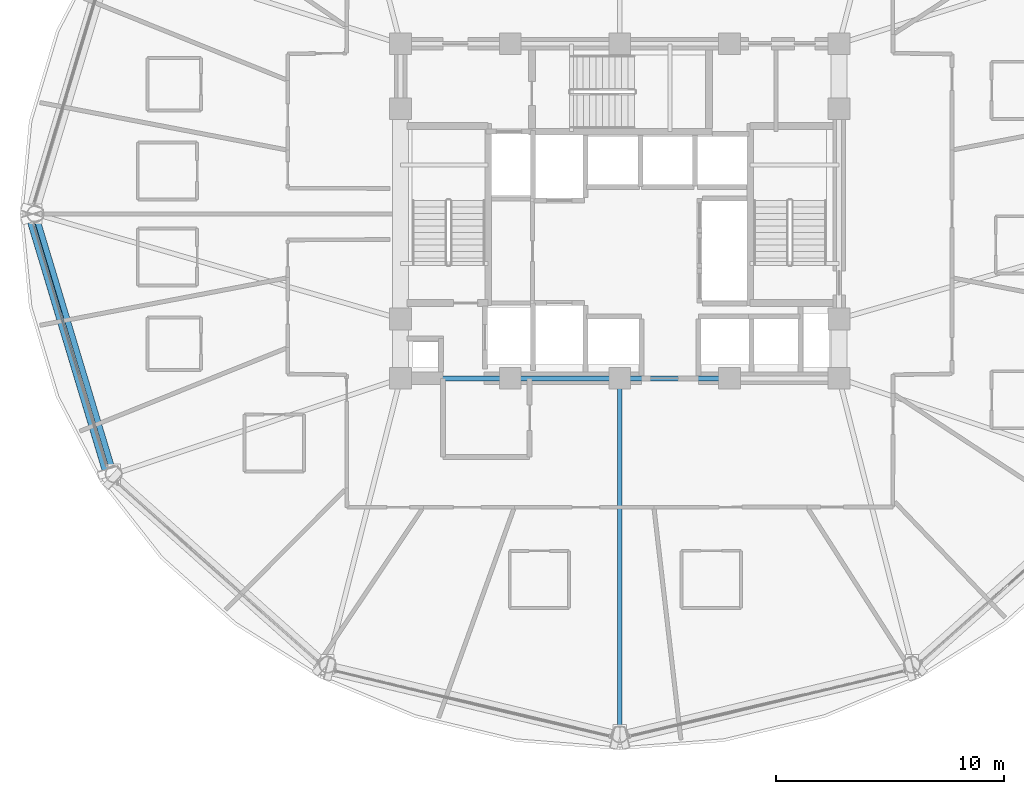
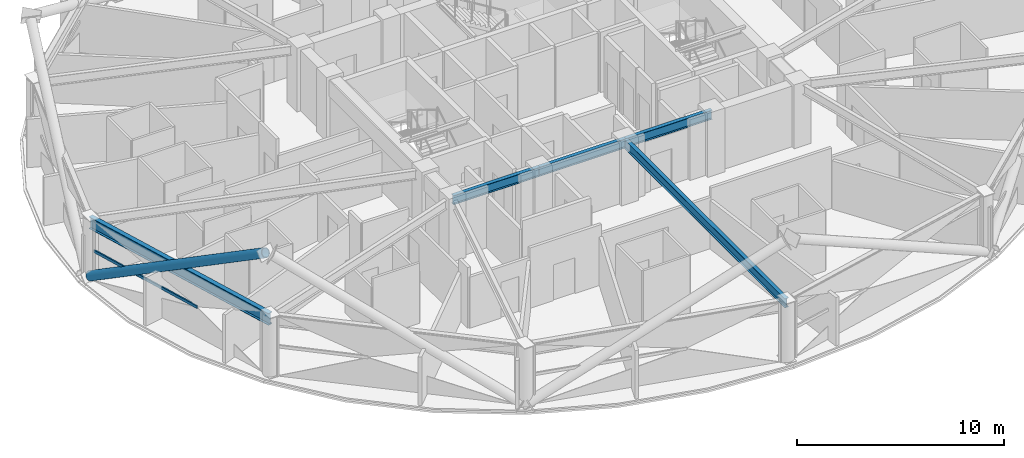
# One storey, part 5 of 32: 5 beams, 2 members, 1 element without a shape of its own.
"""IFC4 building model written with IfcOpenShell, lengths in metres."""

from ifc_helpers import new_model, si_unit, direction, frame, origin, origin_2d, place, context, subcontext, project, spatial, hollow_rectangle, hollow_circle, i_section, extrude, material, layer, layer_set, material_profile, profile_set, type_object, element, aggregate, save


model = new_model("IFC4")

# Units and contexts
model_context = context("Model", 3, precision=1e-05, world=origin(), true_north=direction((0.0, 1.0)))
body_context = subcontext(model_context, "Body", "Model", "MODEL_VIEW")
ifc_project = project(units=[si_unit("LENGTHUNIT", "METRE"), si_unit("AREAUNIT", "SQUARE_METRE"), si_unit("VOLUMEUNIT", "CUBIC_METRE"), si_unit("PLANEANGLEUNIT", "RADIAN"), si_unit("MASSUNIT", "GRAM", prefix="KILO")], contexts=[model_context])

# Site, building, storey
site_placement = place(None, origin())
site = spatial("IfcSite", under=ifc_project, at=site_placement, CompositionType="ELEMENT")
building_placement = place(site_placement, origin())
building = spatial("IfcBuilding", under=site, at=building_placement, Name="Vantalir Tower", CompositionType="ELEMENT")
storey_placement = place(building_placement, frame((0.0, 0.0, 104.699951171875)))
storey = spatial("IfcBuildingStorey", under=building, at=storey_placement, Name="L25", CompositionType="ELEMENT", Elevation=104.699951171875)

# Beams
ifc_material_1 = material(Name="Steel S355", Category="steel")
ifc_material_profile_1 = material_profile(ifc_material_1, i_section(OverallWidth=0.2109375, OverallDepth=0.5390625, WebThickness=0.01171875, FlangeThickness=0.018798828125, at=origin_2d()), Name="Steel S355")
ifc_profile_set_1 = profile_set([ifc_material_profile_1], Name="Steel S355")
beam_type_1 = type_object("IfcBeamType", Name="BM-RB-533x210", PredefinedType="BEAM", material=ifc_profile_set_1)
for number, where, z_axis, x_axis, name in (
    (1, (21.89990234375, 17.800048828125, 3.300048828125), (1.0, 0.0, 0.0), (0.0, 1.0, 0.0), "L25 Core Coupling Girder 01"),
    (2, (26.699951171875, 17.800048828125, 3.300048828125), (1.0, 0.0, 0.0), (0.0, 1.0, 0.0), "L25 Core Coupling Girder 02"),
    (3, (31.5, 17.800048828125, 3.300048828125), (1.0, 0.0, 0.0), (0.0, 1.0, 0.0), "L25 Core Coupling Girder 03"),
):
    element("IfcBeam", number, at=place(storey_placement, frame(where, z_axis=z_axis, x_axis=x_axis)), inside=storey, type_object=beam_type_1, Name=name, PredefinedType="BEAM", context=body_context, shape_type="SweptSolid", body=[
        extrude(i_section(OverallWidth=0.2109375, OverallDepth=0.5390625, WebThickness=0.01171875, FlangeThickness=0.018798828125, at=origin_2d()), origin(), (0.0, 0.0, 1.0), 4.800048828125),
    ])
beam_1_placement = place(storey_placement, frame((31.5, 2.2119140625, 3.300048828125), z_axis=(0.0, 1.0, 0.0), x_axis=(-1.0, 0.0, 0.0)))
element("IfcBeam", 4, at=beam_1_placement, inside=storey, type_object=beam_type_1, Name="L25 Radial Floor Beam 10", PredefinedType="BEAM", context=body_context, shape_type="SweptSolid", body=[
    extrude(i_section(OverallWidth=0.2109375, OverallDepth=0.5390625, WebThickness=0.01171875, FlangeThickness=0.018798828125, at=origin_2d()), origin(), (0.0, 0.0, 1.0), 15.588134765625),
])
ifc_material_2 = material(Name="Steel S460", Category="steel")
ifc_material_profile_2 = material_profile(ifc_material_2, i_section(OverallWidth=0.256103515625, OverallDepth=0.693115234375, WebThickness=0.014404296875, FlangeThickness=0.023681640625, at=origin_2d()), Name="Steel S460")
ifc_profile_set_2 = profile_set([ifc_material_profile_2], Name="Steel S460")
beam_type_2 = type_object("IfcBeamType", Name="BM-RG-686x254", PredefinedType="USERDEFINED", material=ifc_profile_set_2)
beam_2_placement = place(storey_placement, frame((5.912109375, 25.0, 3.22314453125), z_axis=(0.288100770592, -0.95760009711, 0.0), x_axis=(0.95760009711, 0.288100770592, 0.0)))
element("IfcBeam", 5, at=beam_2_placement, inside=storey, type_object=beam_type_2, Name="L25 Circumferential Ring Girder 07", ObjectType="GIRDER", PredefinedType="USERDEFINED", context=body_context, shape_type="SweptSolid", body=[
    extrude(i_section(OverallWidth=0.256103515625, OverallDepth=0.693115234375, WebThickness=0.014404296875, FlangeThickness=0.023681640625, at=origin_2d()), origin(), (0.0, 0.0, 1.0), 11.8984375),
])

# Curtain wall, member
ifc_material_3 = material(Name="Champagne-silver PVDF aluminium and double-silver Low-E glass", Category="aluminium")
ifc_layer = layer(ifc_material_3, 0.199951171875)
ifc_layer_set = layer_set([ifc_layer], Name="Champagne-silver PVDF aluminium and double-silver Low-E glass")
curtain_wall_type = type_object("IfcCurtainWallType", Name="CW-DIAMOND-Z2", PredefinedType="USERDEFINED", material=ifc_layer_set)
curtain_wall_placement = place(storey_placement, origin())
curtain_wall = element("IfcCurtainWall", 6, at=curtain_wall_placement, inside=storey, type_object=curtain_wall_type, Name="L25 Quilted Pyramid-Diamond Curtain Wall S07", ObjectType="UNITISED CURTAIN WALL", PredefinedType="USERDEFINED")
ifc_material_4 = material(Name="Champagne-silver PVDF aluminium 6063-T6", Category="aluminium")
ifc_material_profile_3 = material_profile(ifc_material_4, hollow_rectangle(XDim=0.074951171875, YDim=0.159912109375, WallThickness=0.00390625, at=origin_2d()), Name="Champagne-silver PVDF aluminium 6063-T6")
ifc_profile_set_3 = profile_set([ifc_material_profile_3], Name="Champagne-silver PVDF aluminium 6063-T6")
member_type_1 = type_object("IfcMemberType", Name="CWT-160x75", PredefinedType="USERDEFINED", material=ifc_profile_set_3)
member_1_placement = place(storey_placement, frame((5.84912109375, 24.5791015625, 1.78515625), z_axis=(0.284483852741, -0.95868083194, 0.0), x_axis=(0.95868083194, 0.284483852741, 0.0)))
member_1 = element("IfcMember", 7, at=member_1_placement, type_object=member_type_1, Name="CW-L25-S07 Pyramid Fold Ridge Transom", ObjectType="TRANSOM", PredefinedType="USERDEFINED", context=body_context, shape_type="SweptSolid", body=[
    extrude(hollow_rectangle(XDim=0.074951171875, YDim=0.159912109375, WallThickness=0.00390625, at=origin_2d()), origin(), (0.0, 0.0, 1.0), 6.89306640625),
])
aggregate(curtain_wall, [member_1])

# Member
ifc_material_profile_4 = material_profile(ifc_material_2, hollow_circle(Radius=0.260009765625, WallThickness=0.0380859375, at=origin_2d()), Name="Steel S460")
ifc_profile_set_4 = profile_set([ifc_material_profile_4], Name="Steel S460")
member_type_2 = type_object("IfcMemberType", Name="MEM-DB-520x38", PredefinedType="BRACE", material=ifc_profile_set_4)
member_2_placement = place(storey_placement, frame((5.77587890625, 24.819091796875, 0.193115234375), z_axis=(0.247297037267, -0.822344744457, 0.512438578391), x_axis=(0.957635816224, 0.287982019377, 0.0)))
element("IfcMember", 8, at=member_2_placement, inside=storey, type_object=member_type_2, Name="L25 Perimeter S460 Diagrid Brace R19L", PredefinedType="BRACE", context=body_context, shape_type="SweptSolid", body=[
    extrude(hollow_circle(Radius=0.260009765625, WallThickness=0.0380859375, at=origin_2d()), origin(), (0.0, 0.0, 1.0), 13.531005859375),
])

save(model, "model.ifc")
